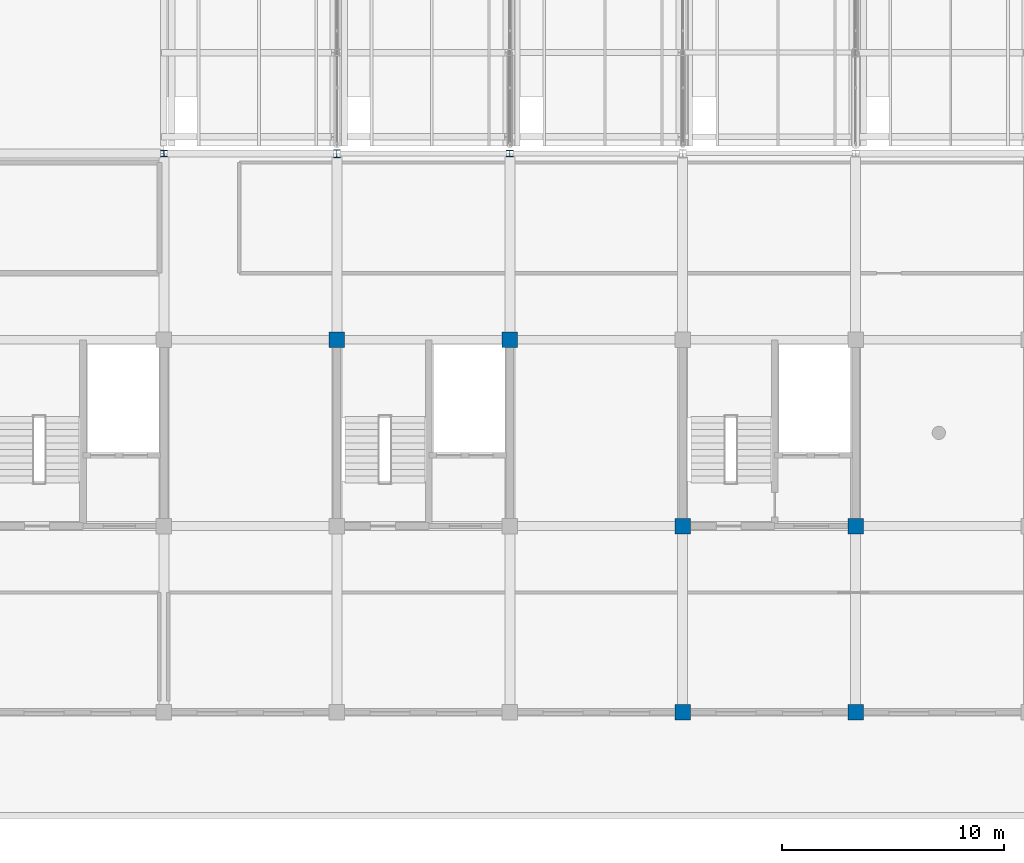
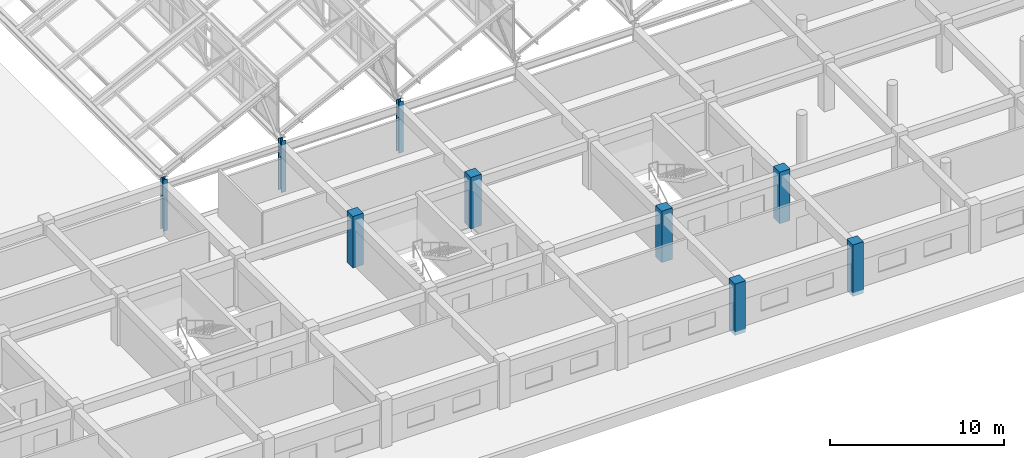
# One storey, part 2 of 101: 9 columns.
"""IFC4 building model written with IfcOpenShell, lengths in metres."""

from ifc_helpers import new_model, si_unit, direction, frame, origin, origin_2d, place, context, subcontext, project, spatial, rectangle, i_section, extrude, material, material_profile, profile_set, type_object, element, save


model = new_model("IFC4")

# Units and contexts
model_context = context("Model", 3, precision=1e-05, world=origin(), true_north=direction((0.0, 1.0)))
body_context = subcontext(model_context, "Body", "Model", "MODEL_VIEW")
ifc_project = project(units=[si_unit("LENGTHUNIT", "METRE"), si_unit("AREAUNIT", "SQUARE_METRE"), si_unit("VOLUMEUNIT", "CUBIC_METRE"), si_unit("PLANEANGLEUNIT", "RADIAN"), si_unit("MASSUNIT", "GRAM", prefix="KILO")], contexts=[model_context])

# Site, building, storey
site_placement = place(None, origin())
site = spatial("IfcSite", under=ifc_project, at=site_placement, CompositionType="ELEMENT")
building_placement = place(site_placement, origin())
building = spatial("IfcBuilding", under=site, at=building_placement, Name="Zizhar Promenade General Hospital", CompositionType="ELEMENT")
storey_placement = place(building_placement, frame((0.0, 0.0, 14.39990234375)))
storey = spatial("IfcBuildingStorey", under=building, at=storey_placement, Name="L03", CompositionType="ELEMENT", Elevation=14.39990234375)

# Columns
ifc_material_1 = material(Name="Concrete C40/50", Category="concrete")
ifc_material_profile_1 = material_profile(ifc_material_1, rectangle(XDim=0.699951171875, YDim=0.699951171875, at=origin_2d()))
ifc_profile_set_1 = profile_set([ifc_material_profile_1], Name="Concrete C40/50")
column_type_1 = type_object("IfcColumnType", Name="COL-RC-700", PredefinedType="COLUMN", material=ifc_profile_set_1)
for number, where, z_axis, x_axis, name in (
    (1, (78.0, 16.800048828125, 0.0), (0.0, 0.0, 1.0), (1.0, 0.0, 0.0), "Column 11-C (L03)"),
    (2, (85.800048828125, 16.800048828125, 0.0), (0.0, 0.0, 1.0), (1.0, 0.0, 0.0), "Column 12-C (L03)"),
    (3, (93.60009765625, 0.0, 0.0), (0.0, 0.0, 1.0), (1.0, 0.0, 0.0), "Column 13-A (L03)"),
    (4, (93.60009765625, 8.39990234375, 0.0), (0.0, 0.0, 1.0), (1.0, 0.0, 0.0), "Column 13-B (L03)"),
    (5, (101.39990234375, 0.0, 0.0), (0.0, 0.0, 1.0), (1.0, 0.0, 0.0), "Column 14-A (L03)"),
    (6, (101.39990234375, 8.39990234375, 0.0), (0.0, 0.0, 1.0), (1.0, 0.0, 0.0), "Column 14-B (L03)"),
):
    element("IfcColumn", number, at=place(storey_placement, frame(where, z_axis=z_axis, x_axis=x_axis)), inside=storey, type_object=column_type_1, Name=name, PredefinedType="COLUMN", context=body_context, shape_type="SweptSolid", body=[
        extrude(rectangle(XDim=0.699951171875, YDim=0.699951171875, at=origin_2d()), origin(), (0.0, 0.0, 1.0), 3.60009765625),
    ])
ifc_material_2 = material(Name="Steel S355", Category="steel")
ifc_material_profile_2 = material_profile(ifc_material_2, i_section(OverallWidth=0.300048828125, OverallDepth=0.300048828125, WebThickness=0.010986328125, FlangeThickness=0.01904296875, FilletRadius=0.027099609375, at=origin_2d()))
ifc_profile_set_2 = profile_set([ifc_material_profile_2], Name="Steel S355")
column_type_2 = type_object("IfcColumnType", Name="COL-STL-HEB300", PredefinedType="COLUMN", material=ifc_profile_set_2)
for number, where, z_axis, x_axis, name in (
    (7, (70.199951171875, 25.199951171875, 0.0), (0.0, 0.0, 1.0), (1.0, 0.0, 0.0), "Column 10-D (L03)"),
    (8, (85.800048828125, 25.199951171875, 0.0), (0.0, 0.0, 1.0), (1.0, 0.0, 0.0), "Column 12-D (L03)"),
):
    element("IfcColumn", number, at=place(storey_placement, frame(where, z_axis=z_axis, x_axis=x_axis)), inside=storey, type_object=column_type_2, Name=name, PredefinedType="COLUMN", context=body_context, shape_type="SweptSolid", body=[
        extrude(i_section(OverallWidth=0.300048828125, OverallDepth=0.300048828125, WebThickness=0.010986328125, FlangeThickness=0.01904296875, FilletRadius=0.027099609375, at=origin_2d()), origin(), (0.0, 0.0, 1.0), 3.60009765625),
    ])
ifc_material_3 = material(Name="Steel S355", Category="steel")
ifc_material_profile_3 = material_profile(ifc_material_3, i_section(OverallWidth=0.300048828125, OverallDepth=0.360107421875, WebThickness=0.012451171875, FlangeThickness=0.0224609375, FilletRadius=0.027099609375, at=origin_2d()))
ifc_profile_set_3 = profile_set([ifc_material_profile_3], Name="Steel S355")
column_type_3 = type_object("IfcColumnType", Name="COL-STL-HEB360", PredefinedType="COLUMN", material=ifc_profile_set_3)
column_placement = place(storey_placement, frame((78.0, 25.199951171875, 0.0), z_axis=(0.0, 0.0, 1.0), x_axis=(1.0, 0.0, 0.0)))
element("IfcColumn", 9, at=column_placement, inside=storey, type_object=column_type_3, Name="Column 11-D (L03)", PredefinedType="COLUMN", context=body_context, shape_type="SweptSolid", body=[
    extrude(i_section(OverallWidth=0.300048828125, OverallDepth=0.360107421875, WebThickness=0.012451171875, FlangeThickness=0.0224609375, FilletRadius=0.027099609375, at=origin_2d()), origin(), (0.0, 0.0, 1.0), 3.60009765625),
])

save(model, "model.ifc")
